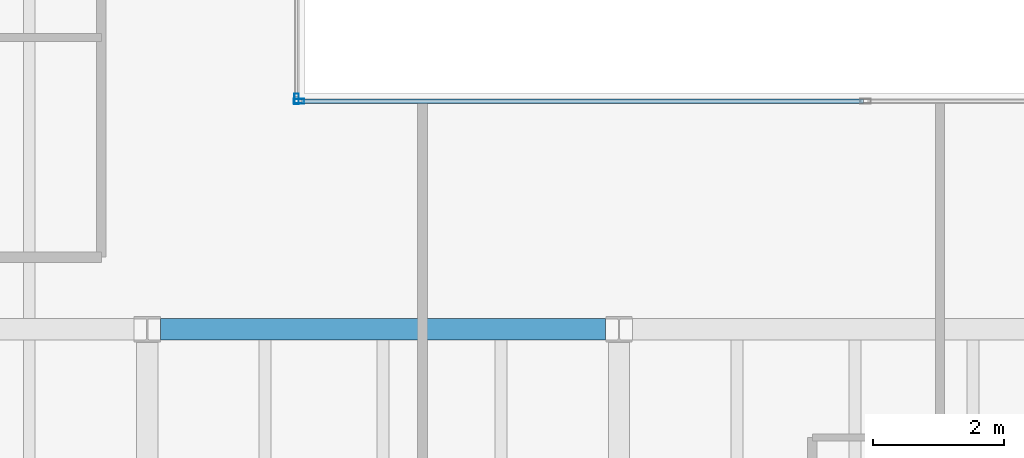
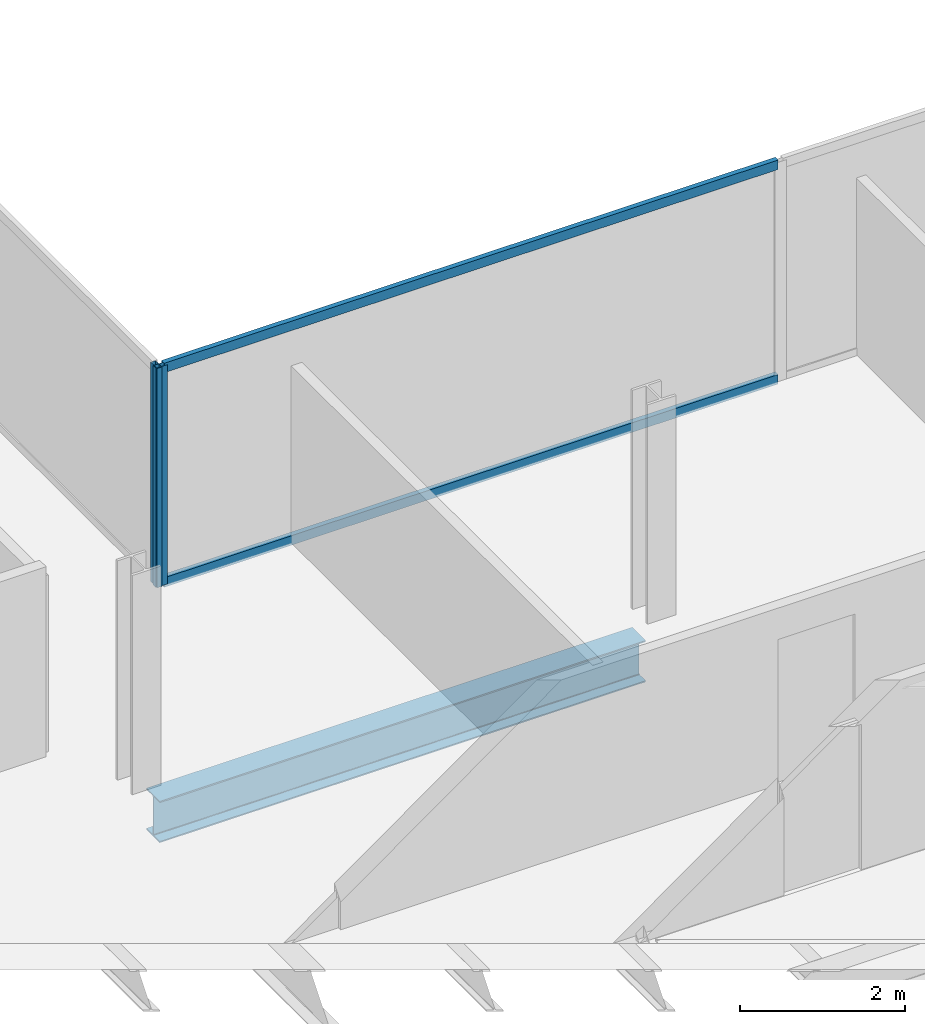
# One storey, part 8 of 23: 4 members, 1 beam, 2 elements without a shape of their own.
"""IFC4 building model written with IfcOpenShell, lengths in metres."""

from ifc_helpers import new_model, si_unit, direction, frame, origin, origin_2d, place, context, subcontext, project, spatial, hollow_rectangle, i_section, extrude, material, material_profile, profile_set, type_object, element, aggregate, save


model = new_model("IFC4")

# Units and contexts
model_context = context("Model", 3, precision=1e-05, world=origin(), true_north=direction((0.0, 1.0)))
body_context = subcontext(model_context, "Body", "Model", "MODEL_VIEW")
ifc_project = project(units=[si_unit("LENGTHUNIT", "METRE"), si_unit("AREAUNIT", "SQUARE_METRE"), si_unit("VOLUMEUNIT", "CUBIC_METRE"), si_unit("PLANEANGLEUNIT", "RADIAN"), si_unit("MASSUNIT", "GRAM", prefix="KILO")], contexts=[model_context])

# Site, building, storey
site_placement = place(None, origin())
site = spatial("IfcSite", under=ifc_project, at=site_placement, CompositionType="ELEMENT")
building_placement = place(site_placement, origin())
building = spatial("IfcBuilding", under=site, at=building_placement, Name="Cobrela Telecom Tower", CompositionType="ELEMENT")
storey_placement = place(building_placement, frame((0.0, 0.0, 208.25)))
storey = spatial("IfcBuildingStorey", under=building, at=storey_placement, Name="L53", CompositionType="ELEMENT", Elevation=208.25)

# Beam
ifc_material_1 = material(Name="Steel ASTM A992 Grade 50", Category="steel")
ifc_material_profile_1 = material_profile(ifc_material_1, i_section(OverallWidth=0.324951171875, OverallDepth=0.612060546875, WebThickness=0.0126953125, FlangeThickness=0.01904296875, FilletRadius=0.014892578125, at=origin_2d()), Name="W24X104")
ifc_profile_set_1 = profile_set([ifc_material_profile_1], Name="Steel ASTM A992 Grade 50")
beam_type = type_object("IfcBeamType", Name="BM-GIRD-07", PredefinedType="USERDEFINED", material=ifc_profile_set_1)
beam_placement = place(storey_placement, frame((21.804443359375, 21.60009765625, -0.56591796875), z_axis=(1.0, 0.0, 0.0), x_axis=(0.0, 1.0, 0.0)))
element("IfcBeam", 1, at=beam_placement, inside=storey, type_object=beam_type, Name="L53 Primary Girder X16", ObjectType="GIRDER", PredefinedType="USERDEFINED", context=body_context, shape_type="SweptSolid", body=[
    extrude(i_section(OverallWidth=0.324951171875, OverallDepth=0.612060546875, WebThickness=0.0126953125, FlangeThickness=0.01904296875, FilletRadius=0.014892578125, at=origin_2d()), origin(), (0.0, 0.0, 1.0), 6.791015625),
])

# Curtain wall, member
ifc_material_2 = material(Name="Anodized Bronze Aluminium 6063-T6", Category="aluminium")
curtain_wall_type = type_object("IfcCurtainWallType", Name="CW-SYS-OFF-LO", PredefinedType="USERDEFINED", material=ifc_material_2)
curtain_wall_1_placement = place(storey_placement, origin())
curtain_wall_1 = element("IfcCurtainWall", 2, at=curtain_wall_1_placement, inside=storey, type_object=curtain_wall_type, Name="L53 Unitised Bronze Curtain Wall 10", ObjectType="UNITISED CURTAIN WALL", PredefinedType="USERDEFINED")
ifc_material_profile_2 = material_profile(ifc_material_2, hollow_rectangle(XDim=0.070068359375, YDim=0.159912109375, WallThickness=0.00390625, at=origin_2d()), Name="ALU 70x160x4")
ifc_profile_set_2 = profile_set([ifc_material_profile_2], Name="Anodized Bronze Aluminium 6063-T6")
member_type_1 = type_object("IfcMemberType", Name="CW-SYS-OFF-LO-MUL", PredefinedType="MULLION", material=ifc_profile_set_2)
member_1_placement = place(storey_placement, frame((23.8798828125, 25.114990234375, 0.0), z_axis=(0.0, 0.0, 1.0), x_axis=(1.0, 0.0, 0.0)))
member_1 = element("IfcMember", 3, at=member_1_placement, type_object=member_type_1, Name="CW-OFF-LO mullion 3", PredefinedType="MULLION", context=body_context, shape_type="SweptSolid", body=[
    extrude(hollow_rectangle(XDim=0.070068359375, YDim=0.159912109375, WallThickness=0.00390625, at=origin_2d()), origin(), (0.0, 0.0, 1.0), 3.239990234375),
])
aggregate(curtain_wall_1, [member_1])

# Curtain wall, members
curtain_wall_2_placement = place(storey_placement, origin())
curtain_wall_2 = element("IfcCurtainWall", 4, at=curtain_wall_2_placement, inside=storey, type_object=curtain_wall_type, Name="L53 Unitised Bronze Curtain Wall 11", ObjectType="UNITISED CURTAIN WALL", PredefinedType="USERDEFINED")
member_2_placement = place(storey_placement, frame((23.9150390625, 25.080078125, 0.0), z_axis=(0.0, 0.0, 1.0), x_axis=(0.0, 1.0, 0.0)))
member_2 = element("IfcMember", 5, at=member_2_placement, type_object=member_type_1, Name="CW-OFF-LO mullion 1", PredefinedType="MULLION", context=body_context, shape_type="SweptSolid", body=[
    extrude(hollow_rectangle(XDim=0.070068359375, YDim=0.159912109375, WallThickness=0.00390625, at=origin_2d()), origin(), (0.0, 0.0, 1.0), 3.239990234375),
])
ifc_material_profile_3 = material_profile(ifc_material_2, hollow_rectangle(XDim=0.070068359375, YDim=0.139892578125, WallThickness=0.00390625, at=origin_2d()), Name="ALU 70x140x4")
ifc_profile_set_3 = profile_set([ifc_material_profile_3], Name="Anodized Bronze Aluminium 6063-T6")
member_type_2 = type_object("IfcMemberType", Name="CW-SYS-OFF-LO-TRN", PredefinedType="USERDEFINED", material=ifc_profile_set_3)
member_3_placement = place(storey_placement, frame((23.949951171875, 25.080078125, 0.034912109375), z_axis=(1.0, 0.0, 0.0), x_axis=(0.0, 1.0, 0.0)))
member_3 = element("IfcMember", 6, at=member_3_placement, type_object=member_type_2, Name="CW-OFF-LO transom 1.1", ObjectType="TRANSOM", PredefinedType="USERDEFINED", context=body_context, shape_type="SweptSolid", body=[
    extrude(hollow_rectangle(XDim=0.070068359375, YDim=0.139892578125, WallThickness=0.00390625, at=origin_2d()), origin(), (0.0, 0.0, 1.0), 8.580078125),
])
member_4_placement = place(storey_placement, frame((23.949951171875, 25.080078125, 3.205078125), z_axis=(1.0, 0.0, 0.0), x_axis=(0.0, 1.0, 0.0)))
member_4 = element("IfcMember", 7, at=member_4_placement, type_object=member_type_2, Name="CW-OFF-LO transom 1.2", ObjectType="TRANSOM", PredefinedType="USERDEFINED", context=body_context, shape_type="SweptSolid", body=[
    extrude(hollow_rectangle(XDim=0.070068359375, YDim=0.139892578125, WallThickness=0.00390625, at=origin_2d()), origin(), (0.0, 0.0, 1.0), 8.580078125),
])
aggregate(curtain_wall_2, [member_2, member_3, member_4])

save(model, "model.ifc")
